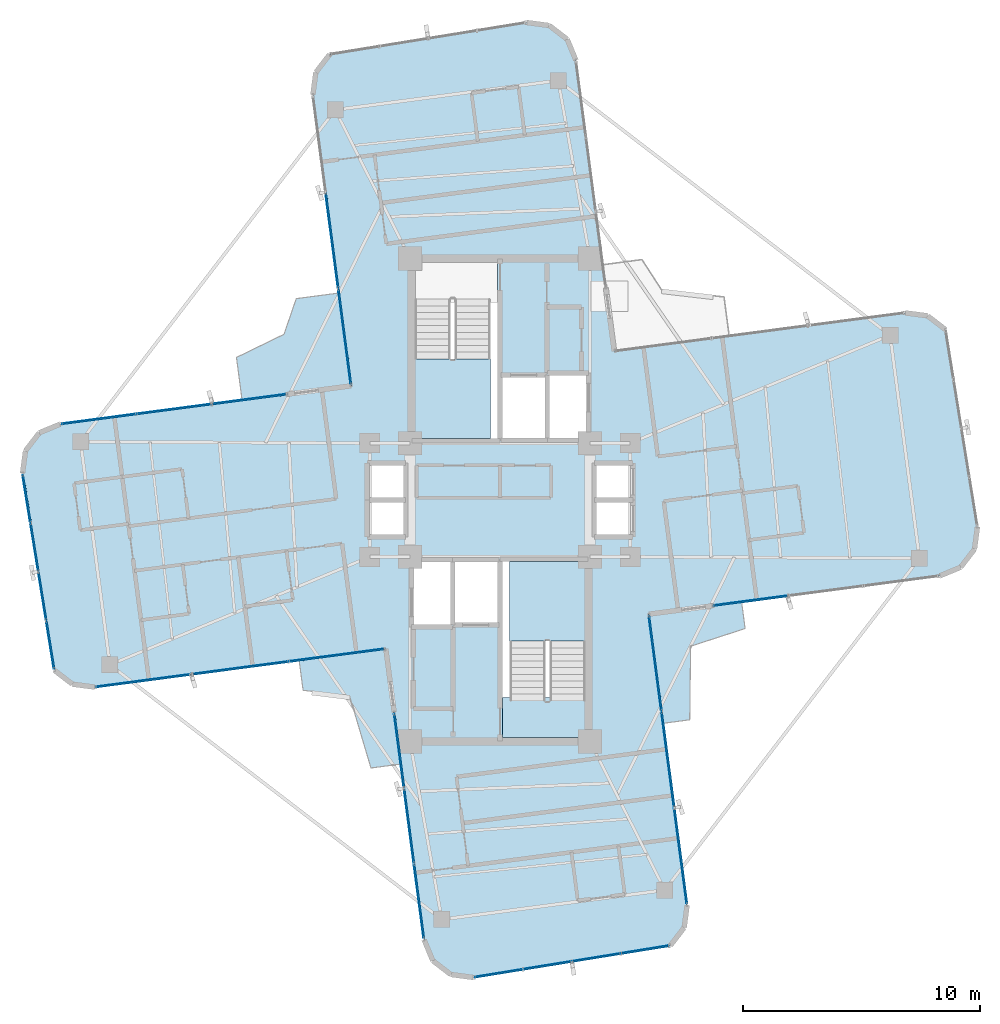
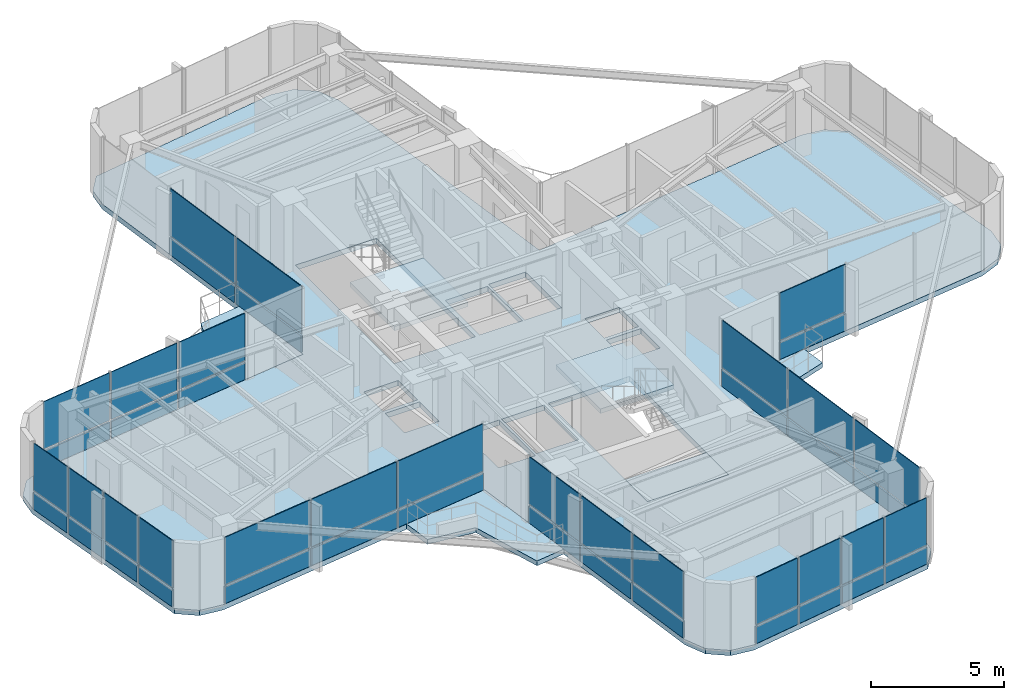
# One storey, part 17 of 22: 46 plates, 7 slabs, 10 elements without a shape of their own.
"""IFC4 building model written with IfcOpenShell, lengths in metres."""

from ifc_helpers import new_model, si_unit, direction, frame, origin, origin_2d, place, context, subcontext, project, spatial, polyline, rectangle, outline, extrude, source, transform, mapped, material, layer, layer_set, type_object, element, aggregate, save


model = new_model("IFC4")

# Units and contexts
model_context = context("Model", 3, precision=1e-05, world=origin(), true_north=direction((0.0, 1.0)))
body_context = subcontext(model_context, "Body", "Model", "MODEL_VIEW")
ifc_project = project(units=[si_unit("LENGTHUNIT", "METRE"), si_unit("AREAUNIT", "SQUARE_METRE"), si_unit("VOLUMEUNIT", "CUBIC_METRE"), si_unit("PLANEANGLEUNIT", "RADIAN"), si_unit("MASSUNIT", "GRAM", prefix="KILO")], contexts=[model_context])

# Site, building, storey
site_placement = place(None, origin())
site = spatial("IfcSite", under=ifc_project, at=site_placement, CompositionType="ELEMENT")
building_placement = place(site_placement, origin())
building = spatial("IfcBuilding", under=site, at=building_placement, Name="Sahyath Konkavel Grand Hotel", CompositionType="ELEMENT")
storey_placement = place(building_placement, frame((0.0, 0.0, 257.89990234375)))
storey = spatial("IfcBuildingStorey", under=building, at=storey_placement, Name="L72", CompositionType="ELEMENT", Elevation=257.89990234375)

# Slabs
ifc_material_1 = material(Name="Concrete C40/50", Category="concrete")
ifc_layer_1 = layer(ifc_material_1, 0.239990234375)
ifc_layer_set_1 = layer_set([ifc_layer_1], Name="Concrete C40/50")
slab_type_1 = type_object("IfcSlabType", Name="SLB-240", PredefinedType="FLOOR", material=ifc_layer_set_1)
slab_1_placement = place(storey_placement, frame((0.0, 0.0, -0.239990234375)))
element("IfcSlab", 1, at=slab_1_placement, inside=storey, type_object=slab_type_1, Name="L72 Structural Floor Slab", PredefinedType="FLOOR", context=body_context, shape_type="SweptSolid", body=[
    extrude(outline(polyline([(6.282958984375, -4.821044921875), (18.56689453125, -3.203857421875), (19.451904296875, -2.83740234375), (20.03466796875, -2.07763671875), (20.15966796875, -1.12841796875), (18.814208984375, 7.1923828125), (18.0546875, 7.775390625), (17.10498046875, 7.900390625), (4.821044921875, 6.282958984375), (3.203857421875, 18.56689453125), (2.83740234375, 19.451904296875), (2.07763671875, 20.03466796875), (1.12841796875, 20.15966796875), (-7.1923828125, 18.814208984375), (-7.775390625, 18.0546875), (-7.900390625, 17.10498046875), (-6.282958984375, 4.821044921875), (-18.56689453125, 3.203857421875), (-19.451904296875, 2.83740234375), (-20.03466796875, 2.07763671875), (-20.15966796875, 1.12841796875), (-18.814208984375, -7.1923828125), (-18.0546875, -7.775390625), (-17.10498046875, -7.900390625), (-4.821044921875, -6.282958984375), (-3.203857421875, -18.56689453125), (-2.83740234375, -19.451904296875), (-2.07763671875, -20.03466796875), (-1.12841796875, -20.15966796875), (7.1923828125, -18.814208984375), (7.775390625, -18.0546875), (7.900390625, -17.10498046875), (6.282958984375, -4.821044921875)]), holes=[polyline([(-3.6201171875, 2.580078125), (-0.10009765625, 2.580078125), (-0.10009765625, 10.02001953125), (-3.6201171875, 10.02001953125), (-3.6201171875, 2.580078125)]), polyline([(0.10009765625, -10.02001953125), (3.6201171875, -10.02001953125), (3.6201171875, -2.580078125), (0.10009765625, -2.580078125), (0.10009765625, -10.02001953125)]), polyline([(0.10009765625, 2.60009765625), (1.949951171875, 2.60009765625), (1.949951171875, 5.199951171875), (0.10009765625, 5.199951171875), (0.10009765625, 2.60009765625)]), polyline([(-1.949951171875, -5.199951171875), (-0.10009765625, -5.199951171875), (-0.10009765625, -2.60009765625), (-1.949951171875, -2.60009765625), (-1.949951171875, -5.199951171875)]), polyline([(2.050048828125, 2.60009765625), (3.64990234375, 2.60009765625), (3.64990234375, 5.300048828125), (2.050048828125, 5.300048828125), (2.050048828125, 2.60009765625)]), polyline([(-3.64990234375, -5.300048828125), (-2.050048828125, -5.300048828125), (-2.050048828125, -2.60009765625), (-3.64990234375, -2.60009765625), (-3.64990234375, -5.300048828125)]), polyline([(4.050048828125, 0.080078125), (5.550048828125, 0.080078125), (5.550048828125, 1.5400390625), (4.050048828125, 1.5400390625), (4.050048828125, 0.080078125)]), polyline([(4.050048828125, -1.5400390625), (5.550048828125, -1.5400390625), (5.550048828125, -0.080078125), (4.050048828125, -0.080078125), (4.050048828125, -1.5400390625)]), polyline([(-5.550048828125, 0.080078125), (-4.050048828125, 0.080078125), (-4.050048828125, 1.5400390625), (-5.550048828125, 1.5400390625), (-5.550048828125, 0.080078125)]), polyline([(-5.550048828125, -1.5400390625), (-4.050048828125, -1.5400390625), (-4.050048828125, -0.080078125), (-5.550048828125, -0.080078125), (-5.550048828125, -1.5400390625)])]), origin(), (0.0, 0.0, 1.0), 0.239990234375),
])
ifc_layer_2 = layer(ifc_material_1, 0.219970703125)
ifc_layer_set_2 = layer_set([ifc_layer_2], Name="Concrete C40/50")
slab_type_2 = type_object("IfcSlabType", Name="SLB-BALCONY-220", PredefinedType="FLOOR", material=ifc_layer_set_2)
slab_2_placement = place(storey_placement, frame((0.0, 0.0, -0.219970703125)))
element("IfcSlab", 2, at=slab_2_placement, inside=storey, type_object=slab_type_2, Name="L72 Winter-Garden Balcony NW", PredefinedType="FLOOR", context=body_context, shape_type="SweptSolid", body=[
    extrude(outline(polyline([(-6.282958984375, 4.821044921875), (-6.799072265625, 8.740234375), (-8.603515625, 8.502685546875), (-9.119384765625, 6.99755859375), (-11.1279296875, 6.019287109375), (-10.890380859375, 4.214599609375), (-6.282958984375, 4.821044921875)])), origin(), (0.0, 0.0, 1.0), 0.219970703125),
])
slab_3_placement = place(storey_placement, frame((0.0, 0.0, -0.219970703125)))
element("IfcSlab", 3, at=slab_3_placement, inside=storey, type_object=slab_type_2, Name="L72 Winter-Garden Balcony SW", PredefinedType="FLOOR", context=body_context, shape_type="SweptSolid", body=[
    extrude(outline(polyline([(-4.821044921875, -6.282958984375), (-8.481689453125, -6.764892578125), (-8.314697265625, -8.033447265625), (-6.35107421875, -8.27685546875), (-5.448974609375, -11.31591796875), (-4.180419921875, -11.14892578125), (-4.821044921875, -6.282958984375)])), origin(), (0.0, 0.0, 1.0), 0.219970703125),
])
slab_4_placement = place(storey_placement, frame((0.0, 0.0, -0.219970703125)))
element("IfcSlab", 4, at=slab_4_placement, inside=storey, type_object=slab_type_2, Name="L72 Winter-Garden Balcony SE", PredefinedType="FLOOR", context=body_context, shape_type="SweptSolid", body=[
    extrude(outline(polyline([(6.282958984375, -4.821044921875), (6.8896484375, -9.428466796875), (8.01171875, -9.28076171875), (8.046875, -6.174560546875), (10.35009765625, -5.42724609375), (10.2021484375, -4.30517578125), (6.282958984375, -4.821044921875)])), origin(), (0.0, 0.0, 1.0), 0.219970703125),
])

# Stair, slab
stair_type = type_object("IfcStairType", Name="STR-ST16-335", PredefinedType="HALF_TURN_STAIR", material=ifc_material_1)
stair_1_placement = place(storey_placement, origin())
stair_1 = element("IfcStair", 5, at=stair_1_placement, inside=storey, type_object=stair_type, Name="L72 North Core Smokeproof Exit Stair ST-1", PredefinedType="HALF_TURN_STAIR")
ifc_layer_3 = layer(ifc_material_1, 0.199951171875)
ifc_layer_set_3 = layer_set([ifc_layer_3], Name="Concrete C40/50")
slab_type_3 = type_object("IfcSlabType", Name="SLB-STAIR-LND", PredefinedType="LANDING", material=ifc_layer_set_3)
slab_5_placement = place(storey_placement, frame((0.0, 0.0, 1.47509765625)))
slab_5 = element("IfcSlab", 6, at=slab_5_placement, type_object=slab_type_3, Name="ST-1 landing 1", PredefinedType="LANDING", context=body_context, shape_type="SweptSolid", body=[
    extrude(outline(polyline([(-3.60009765625, 5.9599609375), (-3.60009765625, 2.60009765625), (-0.39990234375, 2.60009765625), (-0.39990234375, 5.9599609375), (-3.60009765625, 5.9599609375)])), origin(), (0.0, 0.0, 1.0), 0.199951171875),
])
aggregate(stair_1, [slab_5])

stair_2_placement = place(storey_placement, origin())
stair_2 = element("IfcStair", 7, at=stair_2_placement, inside=storey, type_object=stair_type, Name="L72 South Core Smokeproof Exit Stair ST-2", PredefinedType="HALF_TURN_STAIR")
slab_6_placement = place(storey_placement, frame((0.0, 0.0, 1.47509765625)))
slab_6 = element("IfcSlab", 8, at=slab_6_placement, type_object=slab_type_3, Name="ST-2 landing 1", PredefinedType="LANDING", context=body_context, shape_type="SweptSolid", body=[
    extrude(outline(polyline([(3.60009765625, -5.9599609375), (3.60009765625, -2.60009765625), (0.39990234375, -2.60009765625), (0.39990234375, -5.9599609375), (3.60009765625, -5.9599609375)])), origin(), (0.0, 0.0, 1.0), 0.199951171875),
])
aggregate(stair_2, [slab_6])

# Slab
slab_7_placement = place(storey_placement, frame((0.0, 0.0, -0.199951171875)))
element("IfcSlab", 9, at=slab_7_placement, inside=storey, type_object=slab_type_3, Name="L72 Stair ST-2 Floor Landing Slab", PredefinedType="LANDING", context=body_context, shape_type="SweptSolid", body=[
    extrude(outline(polyline([(0.10009765625, -10.02001953125), (3.6201171875, -10.02001953125), (3.6201171875, -8.35009765625), (0.10009765625, -8.35009765625), (0.10009765625, -10.02001953125)])), origin(), (0.0, 0.0, 1.0), 0.199951171875),
])

# Curtain wall, plate
ifc_material_2 = material(Name="Anodised Bronze Aluminium & Low-E Glazing", Category="aluminium")
curtain_wall_type = type_object("IfcCurtainWallType", Name="CW-ZONE4", PredefinedType="NOTDEFINED", material=ifc_material_2)
curtain_wall_1_placement = place(storey_placement, origin())
curtain_wall_1 = element("IfcCurtainWall", 10, at=curtain_wall_1_placement, inside=storey, type_object=curtain_wall_type, Name="L72 Unitised Curtain Wall F0", PredefinedType="NOTDEFINED")
ifc_material_3 = material(Name="Warm Buff Sandstone Cladding", Category="masonry")
ifc_layer_4 = layer(ifc_material_3, 0.074951171875)
ifc_layer_set_4 = layer_set([ifc_layer_4], Name="Warm Buff Sandstone Cladding")
plate_type_1 = type_object("IfcPlateType", Name="PNL-SPANDREL-STONE", PredefinedType="SHEET", material=ifc_layer_set_4)
shared_shape_1 = source(origin(), body_context, "Body", "SweptSolid", [
    extrude(rectangle(XDim=3.123291015625, YDim=0.074951171875, at=origin_2d()), origin(), (0.0, 0.0, 1.0), 0.77001953125),
])
plate_1_placement = place(storey_placement, frame((10.587646484375, -4.25439453125, 0.0400390625), z_axis=(0.0, 0.0, 1.0), x_axis=(0.991444861374, 0.13052619222, 0.0)))
plate_1 = element("IfcPlate", 11, at=plate_1_placement, type_object=plate_type_1, Name="L72 Sandstone Relief Spandrel Panel F0-0", PredefinedType="SHEET", context=body_context, shape_type="MappedRepresentation", body=[
    mapped(shared_shape_1, transform((0.0, 0.0, 0.0), scale=1.0)),
])

# Curtain wall, plates
curtain_wall_2_placement = place(storey_placement, origin())
curtain_wall_2 = element("IfcCurtainWall", 12, at=curtain_wall_2_placement, inside=storey, type_object=curtain_wall_type, Name="L72 Unitised Curtain Wall F16", PredefinedType="NOTDEFINED")
plate_2_placement = place(storey_placement, frame((-10.587646484375, 4.25439453125, 0.0400390625), z_axis=(0.0, 0.0, 1.0), x_axis=(-0.991444861374, -0.13052619222, 0.0)))
plate_2 = element("IfcPlate", 13, at=plate_2_placement, type_object=plate_type_1, Name="L72 Sandstone Relief Spandrel Panel F16-0", PredefinedType="SHEET", context=body_context, shape_type="MappedRepresentation", body=[
    mapped(shared_shape_1, transform((0.0, 0.0, 0.0), scale=1.0)),
])
plate_3_placement = place(storey_placement, frame((-13.763427734375, 3.836181640625, 0.0400390625), z_axis=(0.0, 0.0, 1.0), x_axis=(-0.991444861374, -0.13052619222, 0.0)))
plate_3 = element("IfcPlate", 14, at=plate_3_placement, type_object=plate_type_1, Name="L72 Sandstone Relief Spandrel Panel F16-1", PredefinedType="SHEET", context=body_context, shape_type="MappedRepresentation", body=[
    mapped(shared_shape_1, transform((0.0, 0.0, 0.0), scale=1.0)),
])
plate_4_placement = place(storey_placement, frame((-16.939453125, 3.418212890625, 0.0400390625), z_axis=(0.0, 0.0, 1.0), x_axis=(-0.991444861374, -0.13052619222, 0.0)))
plate_4 = element("IfcPlate", 15, at=plate_4_placement, type_object=plate_type_1, Name="L72 Sandstone Relief Spandrel Panel F16-2", PredefinedType="SHEET", context=body_context, shape_type="MappedRepresentation", body=[
    mapped(shared_shape_1, transform((0.0, 0.0, 0.0), scale=1.0)),
])

curtain_wall_3_placement = place(storey_placement, origin())
curtain_wall_3 = element("IfcCurtainWall", 16, at=curtain_wall_3_placement, inside=storey, type_object=curtain_wall_type, Name="L72 Unitised Curtain Wall F24", PredefinedType="NOTDEFINED")
plate_5_placement = place(storey_placement, frame((-4.25439453125, -10.587646484375, 0.0400390625), z_axis=(0.0, 0.0, 1.0), x_axis=(0.13052619222, -0.991444861374, 0.0)))
plate_5 = element("IfcPlate", 17, at=plate_5_placement, type_object=plate_type_1, Name="L72 Sandstone Relief Spandrel Panel F24-0", PredefinedType="SHEET", context=body_context, shape_type="MappedRepresentation", body=[
    mapped(shared_shape_1, transform((0.0, 0.0, 0.0), scale=1.0)),
])
plate_6_placement = place(storey_placement, frame((-3.836181640625, -13.763427734375, 0.0400390625), z_axis=(0.0, 0.0, 1.0), x_axis=(0.13052619222, -0.991444861374, 0.0)))
plate_6 = element("IfcPlate", 18, at=plate_6_placement, type_object=plate_type_1, Name="L72 Sandstone Relief Spandrel Panel F24-1", PredefinedType="SHEET", context=body_context, shape_type="MappedRepresentation", body=[
    mapped(shared_shape_1, transform((0.0, 0.0, 0.0), scale=1.0)),
])
plate_7_placement = place(storey_placement, frame((-3.418212890625, -16.939453125, 0.0400390625), z_axis=(0.0, 0.0, 1.0), x_axis=(0.13052619222, -0.991444861374, 0.0)))
plate_7 = element("IfcPlate", 19, at=plate_7_placement, type_object=plate_type_1, Name="L72 Sandstone Relief Spandrel Panel F24-2", PredefinedType="SHEET", context=body_context, shape_type="MappedRepresentation", body=[
    mapped(shared_shape_1, transform((0.0, 0.0, 0.0), scale=1.0)),
])

# Plate
ifc_material_4 = material(Name="Low-E Solar Control Double Glazing", Category="glass")
ifc_layer_5 = layer(ifc_material_4, 0.035888671875)
ifc_layer_set_5 = layer_set([ifc_layer_5], Name="Low-E Solar Control Double Glazing")
plate_type_2 = type_object("IfcPlateType", Name="PNL-VISION-LOWE", PredefinedType="CURTAIN_PANEL", material=ifc_layer_set_5)
shared_shape_2 = source(origin(), body_context, "Body", "SweptSolid", [
    extrude(rectangle(XDim=3.123291015625, YDim=0.035888671875, at=origin_2d()), origin(), (0.0, 0.0, 1.0), 2.179931640625),
])
plate_8_placement = place(storey_placement, frame((10.587646484375, -4.25439453125, 0.89013671875), z_axis=(0.0, 0.0, 1.0), x_axis=(0.991444861374, 0.13052619222, 0.0)))
plate_8 = element("IfcPlate", 20, at=plate_8_placement, type_object=plate_type_2, Name="L72 Low-E Vision Glazing Panel F0-0", PredefinedType="CURTAIN_PANEL", context=body_context, shape_type="MappedRepresentation", body=[
    mapped(shared_shape_2, transform((0.0, 0.0, 0.0), scale=1.0)),
])

aggregate(curtain_wall_1, [plate_1, plate_8])

plate_9_placement = place(storey_placement, frame((-10.587646484375, 4.25439453125, 0.89013671875), z_axis=(0.0, 0.0, 1.0), x_axis=(-0.991444861374, -0.13052619222, 0.0)))
plate_9 = element("IfcPlate", 21, at=plate_9_placement, type_object=plate_type_2, Name="L72 Low-E Vision Glazing Panel F16-0", PredefinedType="CURTAIN_PANEL", context=body_context, shape_type="MappedRepresentation", body=[
    mapped(shared_shape_2, transform((0.0, 0.0, 0.0), scale=1.0)),
])

plate_10_placement = place(storey_placement, frame((-13.763427734375, 3.836181640625, 0.89013671875), z_axis=(0.0, 0.0, 1.0), x_axis=(-0.991444861374, -0.13052619222, 0.0)))
plate_10 = element("IfcPlate", 22, at=plate_10_placement, type_object=plate_type_2, Name="L72 Low-E Vision Glazing Panel F16-1", PredefinedType="CURTAIN_PANEL", context=body_context, shape_type="MappedRepresentation", body=[
    mapped(shared_shape_2, transform((0.0, 0.0, 0.0), scale=1.0)),
])

plate_11_placement = place(storey_placement, frame((-16.939453125, 3.418212890625, 0.89013671875), z_axis=(0.0, 0.0, 1.0), x_axis=(-0.991444861374, -0.13052619222, 0.0)))
plate_11 = element("IfcPlate", 23, at=plate_11_placement, type_object=plate_type_2, Name="L72 Low-E Vision Glazing Panel F16-2", PredefinedType="CURTAIN_PANEL", context=body_context, shape_type="MappedRepresentation", body=[
    mapped(shared_shape_2, transform((0.0, 0.0, 0.0), scale=1.0)),
])

aggregate(curtain_wall_2, [plate_2, plate_9, plate_3, plate_10, plate_4, plate_11])

plate_12_placement = place(storey_placement, frame((-4.25439453125, -10.587646484375, 0.89013671875), z_axis=(0.0, 0.0, 1.0), x_axis=(0.13052619222, -0.991444861374, 0.0)))
plate_12 = element("IfcPlate", 24, at=plate_12_placement, type_object=plate_type_2, Name="L72 Low-E Vision Glazing Panel F24-0", PredefinedType="CURTAIN_PANEL", context=body_context, shape_type="MappedRepresentation", body=[
    mapped(shared_shape_2, transform((0.0, 0.0, 0.0), scale=1.0)),
])

plate_13_placement = place(storey_placement, frame((-3.836181640625, -13.763427734375, 0.89013671875), z_axis=(0.0, 0.0, 1.0), x_axis=(0.13052619222, -0.991444861374, 0.0)))
plate_13 = element("IfcPlate", 25, at=plate_13_placement, type_object=plate_type_2, Name="L72 Low-E Vision Glazing Panel F24-1", PredefinedType="CURTAIN_PANEL", context=body_context, shape_type="MappedRepresentation", body=[
    mapped(shared_shape_2, transform((0.0, 0.0, 0.0), scale=1.0)),
])

plate_14_placement = place(storey_placement, frame((-3.418212890625, -16.939453125, 0.89013671875), z_axis=(0.0, 0.0, 1.0), x_axis=(0.13052619222, -0.991444861374, 0.0)))
plate_14 = element("IfcPlate", 26, at=plate_14_placement, type_object=plate_type_2, Name="L72 Low-E Vision Glazing Panel F24-2", PredefinedType="CURTAIN_PANEL", context=body_context, shape_type="MappedRepresentation", body=[
    mapped(shared_shape_2, transform((0.0, 0.0, 0.0), scale=1.0)),
])

aggregate(curtain_wall_3, [plate_5, plate_12, plate_6, plate_13, plate_7, plate_14])

# Curtain wall, plates
curtain_wall_4_placement = place(storey_placement, origin())
curtain_wall_4 = element("IfcCurtainWall", 27, at=curtain_wall_4_placement, inside=storey, type_object=curtain_wall_type, Name="L72 Unitised Curtain Wall F20", PredefinedType="NOTDEFINED")
shared_shape_3 = source(origin(), body_context, "Body", "SweptSolid", [
    extrude(rectangle(XDim=2.007080078125, YDim=0.074951171875, at=origin_2d()), origin(), (0.0, 0.0, 1.0), 0.77001953125),
])
plate_15_placement = place(storey_placement, frame((-19.98681640625, 0.05859375, 0.0400390625), z_axis=(0.0, 0.0, 1.0), x_axis=(0.159622750546, -0.987178088041, 0.0)))
plate_15 = element("IfcPlate", 28, at=plate_15_placement, type_object=plate_type_1, Name="L72 Sandstone Relief Spandrel Panel F20-0", PredefinedType="SHEET", context=body_context, shape_type="MappedRepresentation", body=[
    mapped(shared_shape_3, transform((0.0, 0.0, 0.0), scale=1.0)),
])
plate_16_placement = place(storey_placement, frame((-19.653564453125, -2.001708984375, 0.0400390625), z_axis=(0.0, 0.0, 1.0), x_axis=(0.159622750546, -0.987178088041, 0.0)))
plate_16 = element("IfcPlate", 29, at=plate_16_placement, type_object=plate_type_1, Name="L72 Sandstone Relief Spandrel Panel F20-1", PredefinedType="SHEET", context=body_context, shape_type="MappedRepresentation", body=[
    mapped(shared_shape_3, transform((0.0, 0.0, 0.0), scale=1.0)),
])
plate_17_placement = place(storey_placement, frame((-19.3203125, -4.062255859375, 0.0400390625), z_axis=(0.0, 0.0, 1.0), x_axis=(0.159622750546, -0.987178088041, 0.0)))
plate_17 = element("IfcPlate", 30, at=plate_17_placement, type_object=plate_type_1, Name="L72 Sandstone Relief Spandrel Panel F20-2", PredefinedType="SHEET", context=body_context, shape_type="MappedRepresentation", body=[
    mapped(shared_shape_3, transform((0.0, 0.0, 0.0), scale=1.0)),
])
plate_18_placement = place(storey_placement, frame((-18.9873046875, -6.12255859375, 0.0400390625), z_axis=(0.0, 0.0, 1.0), x_axis=(0.159622750546, -0.987178088041, 0.0)))
plate_18 = element("IfcPlate", 31, at=plate_18_placement, type_object=plate_type_1, Name="L72 Sandstone Relief Spandrel Panel F20-3", PredefinedType="SHEET", context=body_context, shape_type="MappedRepresentation", body=[
    mapped(shared_shape_3, transform((0.0, 0.0, 0.0), scale=1.0)),
])

curtain_wall_5_placement = place(storey_placement, origin())
curtain_wall_5 = element("IfcCurtainWall", 32, at=curtain_wall_5_placement, inside=storey, type_object=curtain_wall_type, Name="L72 Unitised Curtain Wall F28", PredefinedType="NOTDEFINED")
plate_19_placement = place(storey_placement, frame((-0.05859375, -19.98681640625, 0.0400390625), z_axis=(0.0, 0.0, 1.0), x_axis=(0.987178088041, 0.159622750546, 0.0)))
plate_19 = element("IfcPlate", 33, at=plate_19_placement, type_object=plate_type_1, Name="L72 Sandstone Relief Spandrel Panel F28-0", PredefinedType="SHEET", context=body_context, shape_type="MappedRepresentation", body=[
    mapped(shared_shape_3, transform((0.0, 0.0, 0.0), scale=1.0)),
])
plate_20_placement = place(storey_placement, frame((2.001708984375, -19.653564453125, 0.0400390625), z_axis=(0.0, 0.0, 1.0), x_axis=(0.987178088041, 0.159622750546, 0.0)))
plate_20 = element("IfcPlate", 34, at=plate_20_placement, type_object=plate_type_1, Name="L72 Sandstone Relief Spandrel Panel F28-1", PredefinedType="SHEET", context=body_context, shape_type="MappedRepresentation", body=[
    mapped(shared_shape_3, transform((0.0, 0.0, 0.0), scale=1.0)),
])
plate_21_placement = place(storey_placement, frame((4.062255859375, -19.3203125, 0.0400390625), z_axis=(0.0, 0.0, 1.0), x_axis=(0.987178088041, 0.159622750546, 0.0)))
plate_21 = element("IfcPlate", 35, at=plate_21_placement, type_object=plate_type_1, Name="L72 Sandstone Relief Spandrel Panel F28-2", PredefinedType="SHEET", context=body_context, shape_type="MappedRepresentation", body=[
    mapped(shared_shape_3, transform((0.0, 0.0, 0.0), scale=1.0)),
])
plate_22_placement = place(storey_placement, frame((6.12255859375, -18.9873046875, 0.0400390625), z_axis=(0.0, 0.0, 1.0), x_axis=(0.987178088041, 0.159622750546, 0.0)))
plate_22 = element("IfcPlate", 36, at=plate_22_placement, type_object=plate_type_1, Name="L72 Sandstone Relief Spandrel Panel F28-3", PredefinedType="SHEET", context=body_context, shape_type="MappedRepresentation", body=[
    mapped(shared_shape_3, transform((0.0, 0.0, 0.0), scale=1.0)),
])

# Plate
shared_shape_4 = source(origin(), body_context, "Body", "SweptSolid", [
    extrude(rectangle(XDim=2.007080078125, YDim=0.035888671875, at=origin_2d()), origin(), (0.0, 0.0, 1.0), 2.179931640625),
])
plate_23_placement = place(storey_placement, frame((-19.98681640625, 0.05859375, 0.89013671875), z_axis=(0.0, 0.0, 1.0), x_axis=(0.159622750546, -0.987178088041, 0.0)))
plate_23 = element("IfcPlate", 37, at=plate_23_placement, type_object=plate_type_2, Name="L72 Low-E Vision Glazing Panel F20-0", PredefinedType="CURTAIN_PANEL", context=body_context, shape_type="MappedRepresentation", body=[
    mapped(shared_shape_4, transform((0.0, 0.0, 0.0), scale=1.0)),
])

plate_24_placement = place(storey_placement, frame((-19.653564453125, -2.001708984375, 0.89013671875), z_axis=(0.0, 0.0, 1.0), x_axis=(0.159622750546, -0.987178088041, 0.0)))
plate_24 = element("IfcPlate", 38, at=plate_24_placement, type_object=plate_type_2, Name="L72 Low-E Vision Glazing Panel F20-1", PredefinedType="CURTAIN_PANEL", context=body_context, shape_type="MappedRepresentation", body=[
    mapped(shared_shape_4, transform((0.0, 0.0, 0.0), scale=1.0)),
])

plate_25_placement = place(storey_placement, frame((-19.3203125, -4.062255859375, 0.89013671875), z_axis=(0.0, 0.0, 1.0), x_axis=(0.159622750546, -0.987178088041, 0.0)))
plate_25 = element("IfcPlate", 39, at=plate_25_placement, type_object=plate_type_2, Name="L72 Low-E Vision Glazing Panel F20-2", PredefinedType="CURTAIN_PANEL", context=body_context, shape_type="MappedRepresentation", body=[
    mapped(shared_shape_4, transform((0.0, 0.0, 0.0), scale=1.0)),
])

plate_26_placement = place(storey_placement, frame((-18.9873046875, -6.12255859375, 0.89013671875), z_axis=(0.0, 0.0, 1.0), x_axis=(0.159622750546, -0.987178088041, 0.0)))
plate_26 = element("IfcPlate", 40, at=plate_26_placement, type_object=plate_type_2, Name="L72 Low-E Vision Glazing Panel F20-3", PredefinedType="CURTAIN_PANEL", context=body_context, shape_type="MappedRepresentation", body=[
    mapped(shared_shape_4, transform((0.0, 0.0, 0.0), scale=1.0)),
])

aggregate(curtain_wall_4, [plate_15, plate_23, plate_16, plate_24, plate_17, plate_25, plate_18, plate_26])

plate_27_placement = place(storey_placement, frame((-0.05859375, -19.98681640625, 0.89013671875), z_axis=(0.0, 0.0, 1.0), x_axis=(0.987178088041, 0.159622750546, 0.0)))
plate_27 = element("IfcPlate", 41, at=plate_27_placement, type_object=plate_type_2, Name="L72 Low-E Vision Glazing Panel F28-0", PredefinedType="CURTAIN_PANEL", context=body_context, shape_type="MappedRepresentation", body=[
    mapped(shared_shape_4, transform((0.0, 0.0, 0.0), scale=1.0)),
])

plate_28_placement = place(storey_placement, frame((2.001708984375, -19.653564453125, 0.89013671875), z_axis=(0.0, 0.0, 1.0), x_axis=(0.987178088041, 0.159622750546, 0.0)))
plate_28 = element("IfcPlate", 42, at=plate_28_placement, type_object=plate_type_2, Name="L72 Low-E Vision Glazing Panel F28-1", PredefinedType="CURTAIN_PANEL", context=body_context, shape_type="MappedRepresentation", body=[
    mapped(shared_shape_4, transform((0.0, 0.0, 0.0), scale=1.0)),
])

plate_29_placement = place(storey_placement, frame((4.062255859375, -19.3203125, 0.89013671875), z_axis=(0.0, 0.0, 1.0), x_axis=(0.987178088041, 0.159622750546, 0.0)))
plate_29 = element("IfcPlate", 43, at=plate_29_placement, type_object=plate_type_2, Name="L72 Low-E Vision Glazing Panel F28-2", PredefinedType="CURTAIN_PANEL", context=body_context, shape_type="MappedRepresentation", body=[
    mapped(shared_shape_4, transform((0.0, 0.0, 0.0), scale=1.0)),
])

plate_30_placement = place(storey_placement, frame((6.12255859375, -18.9873046875, 0.89013671875), z_axis=(0.0, 0.0, 1.0), x_axis=(0.987178088041, 0.159622750546, 0.0)))
plate_30 = element("IfcPlate", 44, at=plate_30_placement, type_object=plate_type_2, Name="L72 Low-E Vision Glazing Panel F28-3", PredefinedType="CURTAIN_PANEL", context=body_context, shape_type="MappedRepresentation", body=[
    mapped(shared_shape_4, transform((0.0, 0.0, 0.0), scale=1.0)),
])

aggregate(curtain_wall_5, [plate_19, plate_27, plate_20, plate_28, plate_21, plate_29, plate_22, plate_30])

# Curtain wall, plates
curtain_wall_6_placement = place(storey_placement, origin())
curtain_wall_6 = element("IfcCurtainWall", 45, at=curtain_wall_6_placement, inside=storey, type_object=curtain_wall_type, Name="L72 Unitised Curtain Wall F15", PredefinedType="NOTDEFINED")
shared_shape_5 = source(origin(), body_context, "Body", "SweptSolid", [
    extrude(rectangle(XDim=4.023193359375, YDim=0.074951171875, at=origin_2d()), origin(), (0.0, 0.0, 1.0), 0.77001953125),
])
plate_31_placement = place(storey_placement, frame((-7.091552734375, 10.963134765625, 0.0400390625), z_axis=(0.0, 0.0, 1.0), x_axis=(0.13052619222, -0.991444861374, 0.0)))
plate_31 = element("IfcPlate", 46, at=plate_31_placement, type_object=plate_type_1, Name="L72 Sandstone Relief Spandrel Panel F15-1", PredefinedType="SHEET", context=body_context, shape_type="MappedRepresentation", body=[
    mapped(shared_shape_5, transform((0.0, 0.0, 0.0), scale=1.0)),
])
plate_32_placement = place(storey_placement, frame((-6.555908203125, 6.89501953125, 0.0400390625), z_axis=(0.0, 0.0, 1.0), x_axis=(0.13052619222, -0.991444861374, 0.0)))
plate_32 = element("IfcPlate", 47, at=plate_32_placement, type_object=plate_type_1, Name="L72 Sandstone Relief Spandrel Panel F15-2", PredefinedType="SHEET", context=body_context, shape_type="MappedRepresentation", body=[
    mapped(shared_shape_5, transform((0.0, 0.0, 0.0), scale=1.0)),
])

curtain_wall_7_placement = place(storey_placement, origin())
curtain_wall_7 = element("IfcCurtainWall", 48, at=curtain_wall_7_placement, inside=storey, type_object=curtain_wall_type, Name="L72 Unitised Curtain Wall F23", PredefinedType="NOTDEFINED")
plate_33_placement = place(storey_placement, frame((-15.03125, -7.627197265625, 0.0400390625), z_axis=(0.0, 0.0, 1.0), x_axis=(0.991444861374, 0.13052619222, 0.0)))
plate_33 = element("IfcPlate", 49, at=plate_33_placement, type_object=plate_type_1, Name="L72 Sandstone Relief Spandrel Panel F23-0", PredefinedType="SHEET", context=body_context, shape_type="MappedRepresentation", body=[
    mapped(shared_shape_5, transform((0.0, 0.0, 0.0), scale=1.0)),
])
plate_34_placement = place(storey_placement, frame((-10.963134765625, -7.091552734375, 0.0400390625), z_axis=(0.0, 0.0, 1.0), x_axis=(0.991444861374, 0.13052619222, 0.0)))
plate_34 = element("IfcPlate", 50, at=plate_34_placement, type_object=plate_type_1, Name="L72 Sandstone Relief Spandrel Panel F23-1", PredefinedType="SHEET", context=body_context, shape_type="MappedRepresentation", body=[
    mapped(shared_shape_5, transform((0.0, 0.0, 0.0), scale=1.0)),
])
plate_35_placement = place(storey_placement, frame((-6.89501953125, -6.555908203125, 0.0400390625), z_axis=(0.0, 0.0, 1.0), x_axis=(0.991444861374, 0.13052619222, 0.0)))
plate_35 = element("IfcPlate", 51, at=plate_35_placement, type_object=plate_type_1, Name="L72 Sandstone Relief Spandrel Panel F23-2", PredefinedType="SHEET", context=body_context, shape_type="MappedRepresentation", body=[
    mapped(shared_shape_5, transform((0.0, 0.0, 0.0), scale=1.0)),
])

curtain_wall_8_placement = place(storey_placement, origin())
curtain_wall_8 = element("IfcCurtainWall", 52, at=curtain_wall_8_placement, inside=storey, type_object=curtain_wall_type, Name="L72 Unitised Curtain Wall F31", PredefinedType="NOTDEFINED")
plate_36_placement = place(storey_placement, frame((7.627197265625, -15.03125, 0.0400390625), z_axis=(0.0, 0.0, 1.0), x_axis=(-0.13052619222, 0.991444861374, 0.0)))
plate_36 = element("IfcPlate", 53, at=plate_36_placement, type_object=plate_type_1, Name="L72 Sandstone Relief Spandrel Panel F31-0", PredefinedType="SHEET", context=body_context, shape_type="MappedRepresentation", body=[
    mapped(shared_shape_5, transform((0.0, 0.0, 0.0), scale=1.0)),
])
plate_37_placement = place(storey_placement, frame((7.091552734375, -10.963134765625, 0.0400390625), z_axis=(0.0, 0.0, 1.0), x_axis=(-0.13052619222, 0.991444861374, 0.0)))
plate_37 = element("IfcPlate", 54, at=plate_37_placement, type_object=plate_type_1, Name="L72 Sandstone Relief Spandrel Panel F31-1", PredefinedType="SHEET", context=body_context, shape_type="MappedRepresentation", body=[
    mapped(shared_shape_5, transform((0.0, 0.0, 0.0), scale=1.0)),
])
plate_38_placement = place(storey_placement, frame((6.555908203125, -6.89501953125, 0.0400390625), z_axis=(0.0, 0.0, 1.0), x_axis=(-0.13052619222, 0.991444861374, 0.0)))
plate_38 = element("IfcPlate", 55, at=plate_38_placement, type_object=plate_type_1, Name="L72 Sandstone Relief Spandrel Panel F31-2", PredefinedType="SHEET", context=body_context, shape_type="MappedRepresentation", body=[
    mapped(shared_shape_5, transform((0.0, 0.0, 0.0), scale=1.0)),
])

# Plate
shared_shape_6 = source(origin(), body_context, "Body", "SweptSolid", [
    extrude(rectangle(XDim=4.023193359375, YDim=0.035888671875, at=origin_2d()), origin(), (0.0, 0.0, 1.0), 2.179931640625),
])
plate_39_placement = place(storey_placement, frame((-7.091552734375, 10.963134765625, 0.89013671875), z_axis=(0.0, 0.0, 1.0), x_axis=(0.13052619222, -0.991444861374, 0.0)))
plate_39 = element("IfcPlate", 56, at=plate_39_placement, type_object=plate_type_2, Name="L72 Low-E Vision Glazing Panel F15-1", PredefinedType="CURTAIN_PANEL", context=body_context, shape_type="MappedRepresentation", body=[
    mapped(shared_shape_6, transform((0.0, 0.0, 0.0), scale=1.0)),
])

plate_40_placement = place(storey_placement, frame((-6.555908203125, 6.89501953125, 0.89013671875), z_axis=(0.0, 0.0, 1.0), x_axis=(0.13052619222, -0.991444861374, 0.0)))
plate_40 = element("IfcPlate", 57, at=plate_40_placement, type_object=plate_type_2, Name="L72 Low-E Vision Glazing Panel F15-2", PredefinedType="CURTAIN_PANEL", context=body_context, shape_type="MappedRepresentation", body=[
    mapped(shared_shape_6, transform((0.0, 0.0, 0.0), scale=1.0)),
])

aggregate(curtain_wall_6, [plate_31, plate_39, plate_32, plate_40])

plate_41_placement = place(storey_placement, frame((-15.03125, -7.627197265625, 0.89013671875), z_axis=(0.0, 0.0, 1.0), x_axis=(0.991444861374, 0.13052619222, 0.0)))
plate_41 = element("IfcPlate", 58, at=plate_41_placement, type_object=plate_type_2, Name="L72 Low-E Vision Glazing Panel F23-0", PredefinedType="CURTAIN_PANEL", context=body_context, shape_type="MappedRepresentation", body=[
    mapped(shared_shape_6, transform((0.0, 0.0, 0.0), scale=1.0)),
])

plate_42_placement = place(storey_placement, frame((-10.963134765625, -7.091552734375, 0.89013671875), z_axis=(0.0, 0.0, 1.0), x_axis=(0.991444861374, 0.13052619222, 0.0)))
plate_42 = element("IfcPlate", 59, at=plate_42_placement, type_object=plate_type_2, Name="L72 Low-E Vision Glazing Panel F23-1", PredefinedType="CURTAIN_PANEL", context=body_context, shape_type="MappedRepresentation", body=[
    mapped(shared_shape_6, transform((0.0, 0.0, 0.0), scale=1.0)),
])

plate_43_placement = place(storey_placement, frame((-6.89501953125, -6.555908203125, 0.89013671875), z_axis=(0.0, 0.0, 1.0), x_axis=(0.991444861374, 0.13052619222, 0.0)))
plate_43 = element("IfcPlate", 60, at=plate_43_placement, type_object=plate_type_2, Name="L72 Low-E Vision Glazing Panel F23-2", PredefinedType="CURTAIN_PANEL", context=body_context, shape_type="MappedRepresentation", body=[
    mapped(shared_shape_6, transform((0.0, 0.0, 0.0), scale=1.0)),
])

aggregate(curtain_wall_7, [plate_33, plate_41, plate_34, plate_42, plate_35, plate_43])

plate_44_placement = place(storey_placement, frame((7.627197265625, -15.03125, 0.89013671875), z_axis=(0.0, 0.0, 1.0), x_axis=(-0.13052619222, 0.991444861374, 0.0)))
plate_44 = element("IfcPlate", 61, at=plate_44_placement, type_object=plate_type_2, Name="L72 Low-E Vision Glazing Panel F31-0", PredefinedType="CURTAIN_PANEL", context=body_context, shape_type="MappedRepresentation", body=[
    mapped(shared_shape_6, transform((0.0, 0.0, 0.0), scale=1.0)),
])

plate_45_placement = place(storey_placement, frame((7.091552734375, -10.963134765625, 0.89013671875), z_axis=(0.0, 0.0, 1.0), x_axis=(-0.13052619222, 0.991444861374, 0.0)))
plate_45 = element("IfcPlate", 62, at=plate_45_placement, type_object=plate_type_2, Name="L72 Low-E Vision Glazing Panel F31-1", PredefinedType="CURTAIN_PANEL", context=body_context, shape_type="MappedRepresentation", body=[
    mapped(shared_shape_6, transform((0.0, 0.0, 0.0), scale=1.0)),
])

plate_46_placement = place(storey_placement, frame((6.555908203125, -6.89501953125, 0.89013671875), z_axis=(0.0, 0.0, 1.0), x_axis=(-0.13052619222, 0.991444861374, 0.0)))
plate_46 = element("IfcPlate", 63, at=plate_46_placement, type_object=plate_type_2, Name="L72 Low-E Vision Glazing Panel F31-2", PredefinedType="CURTAIN_PANEL", context=body_context, shape_type="MappedRepresentation", body=[
    mapped(shared_shape_6, transform((0.0, 0.0, 0.0), scale=1.0)),
])

aggregate(curtain_wall_8, [plate_36, plate_44, plate_37, plate_45, plate_38, plate_46])

save(model, "model.ifc")
